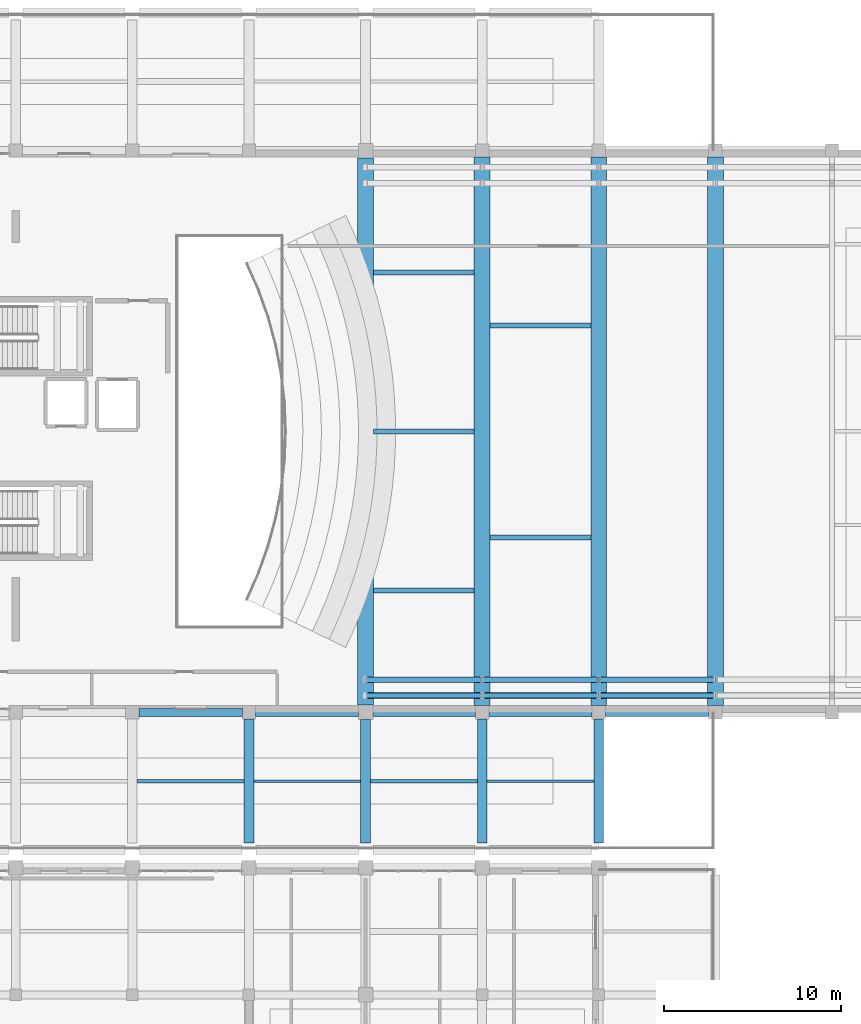
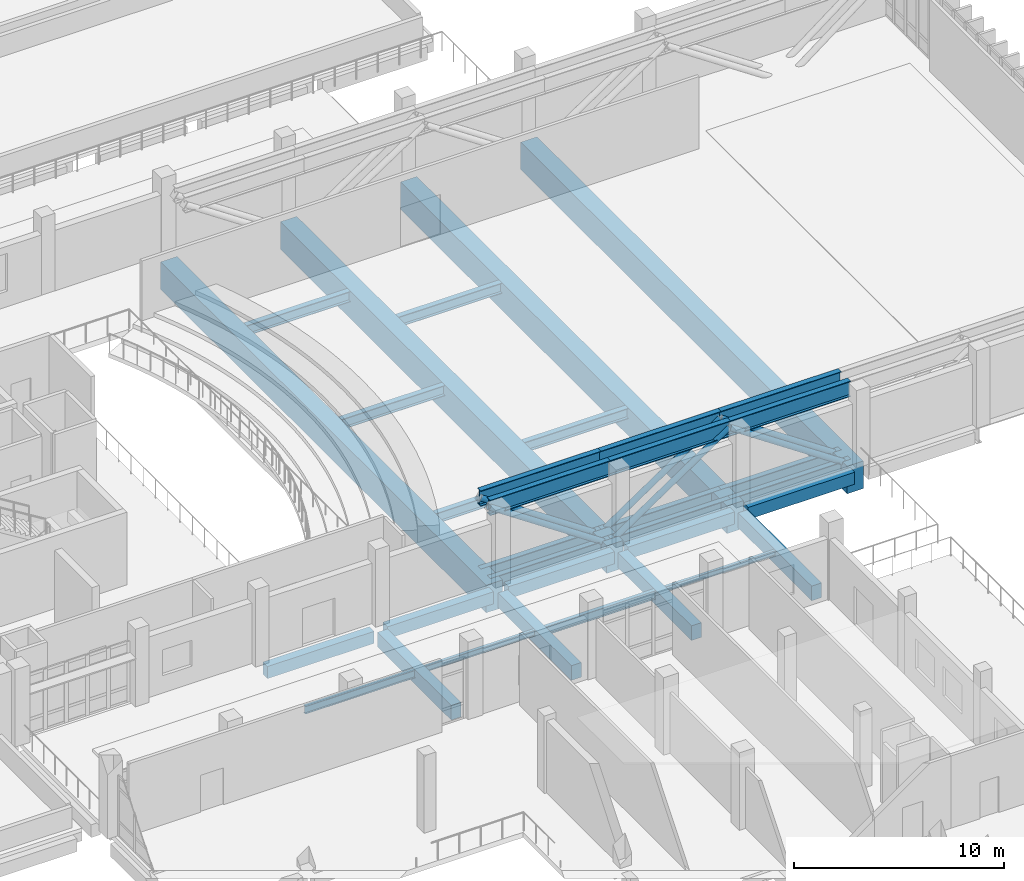
# One storey, part 9 of 54: 22 beams, 18 members.
"""IFC4 building model written with IfcOpenShell, lengths in metres."""

import ifcopenshell
import ifcopenshell.guid

model = None  # the IFC model being written
_history = None  # IfcOwnerHistory: only IFC2X3 demands one
_inside = {}  # id of a spatial element -> (the spatial element, [elements in it])
_under = {}  # id of a project, library or spatial element -> (it, [spatial elements below it])
_declared = {}  # id of a project -> (the project, [libraries it declares])
_typed = {}  # id of a type object -> (the type object, [elements of that type])
_made_of = {}  # id of a material, layer set ... -> (it, [elements and type objects made of it])


def new_model(schema):
    """Start an empty IFC model of exactly this schema.

    Asked for "IFC4X3", IfcOpenShell would pick the latest addendum, in which some entities
    have other attributes; the version numbers below select the first issue.
    IFC2X3 requires an IfcOwnerHistory on every rooted entity: one is made here for all.
    """
    global model, _history
    if schema == "IFC4X3":
        model = ifcopenshell.file(schema_version=(4, 3, 0, 0))
    else:
        model = ifcopenshell.file(schema=schema)
    _inside.clear()
    _under.clear()
    _declared.clear()
    _typed.clear()
    _made_of.clear()
    _history = None
    if model.schema == "IFC2X3":
        org = make("IfcOrganization", Name="unknown")
        user = make(
            "IfcPersonAndOrganization",
            ThePerson=make("IfcPerson", FamilyName="unknown"),
            TheOrganization=org,
        )
        app = make(
            "IfcApplication",
            ApplicationDeveloper=org,
            Version="unknown",
            ApplicationFullName="unknown",
            ApplicationIdentifier="unknown",
        )
        _history = make(
            "IfcOwnerHistory",
            OwningUser=user,
            OwningApplication=app,
            ChangeAction="ADDED",
            CreationDate=0,
        )
    return model


def make(cls, **values):
    """One entity of the class cls with the attributes given. An attribute that is None is left unset."""
    return model.create_entity(
        cls, **{name: value for name, value in values.items() if value is not None}
    )


def rooted(cls, **values):
    """An entity with a GlobalId (a new one), such as an element, a storey or a relation."""
    return make(cls, GlobalId=ifcopenshell.guid.new(), OwnerHistory=_history, **values)


def si_unit(unit_type, name, prefix=None):
    """IfcSIUnit, for example si_unit("LENGTHUNIT", "METRE", prefix="MILLI")."""
    return make("IfcSIUnit", UnitType=unit_type, Prefix=prefix, Name=name)


def assignment(units):
    """IfcUnitAssignment: the units of a project."""
    return None if units is None else make("IfcUnitAssignment", Units=units)


def point(xyz):
    """IfcCartesianPoint."""
    return None if xyz is None else make("IfcCartesianPoint", Coordinates=xyz)


def direction(xyz):
    """IfcDirection."""
    return None if xyz is None else make("IfcDirection", DirectionRatios=xyz)


def frame(location, z_axis=None, x_axis=None):
    """IfcAxis2Placement3D, a coordinate frame: its origin and axes. An axis left out is left unset."""
    return make(
        "IfcAxis2Placement3D",
        Location=point(location),
        Axis=direction(z_axis),
        RefDirection=direction(x_axis),
    )


def frame_2d(location, x_axis=None):
    """IfcAxis2Placement2D, a coordinate frame in the plane: its origin and x axis."""
    return make(
        "IfcAxis2Placement2D", Location=point(location), RefDirection=direction(x_axis)
    )


def origin():
    """The frame at (0, 0, 0) with its axes left unset."""
    return frame((0.0, 0.0, 0.0))


def origin_2d():
    """The frame at (0, 0) in the plane with its x axis left unset."""
    return frame_2d((0.0, 0.0))


def place(relative_to, where):
    """IfcLocalPlacement: puts the frame where relative to a parent placement (None: the world)."""
    return make(
        "IfcLocalPlacement", PlacementRelTo=relative_to, RelativePlacement=where
    )


def context(
    kind, dimensions, precision=None, world=None, true_north=None, identifier=None
):
    """IfcGeometricRepresentationContext, for example the 3D "Model" context."""
    return make(
        "IfcGeometricRepresentationContext",
        ContextIdentifier=identifier,
        ContextType=kind,
        CoordinateSpaceDimension=dimensions,
        Precision=precision,
        WorldCoordinateSystem=world,
        TrueNorth=true_north,
    )


def subcontext(parent, identifier, kind, view, scale=None):
    """IfcGeometricRepresentationSubContext, for example "Body" below "Model"."""
    return make(
        "IfcGeometricRepresentationSubContext",
        ContextIdentifier=identifier,
        ContextType=kind,
        ParentContext=parent,
        TargetScale=scale,
        TargetView=view,
    )


def project(units=None, contexts=None):
    """IfcProject with its units and contexts."""
    return rooted(
        "IfcProject",
        Name="project",
        RepresentationContexts=contexts,
        UnitsInContext=assignment(units),
    )


def spatial(cls, under=None, at=None, **own):
    """A site, building, storey or space (cls), placed at a placement, below another one or the project."""
    s = rooted(cls, ObjectPlacement=at, **own)
    if under is not None:
        _under.setdefault(under.id(), (under, []))[1].append(s)
    return s


def profile(cls, at=None, kind="AREA", **sizes):
    """A parametric profile (cls). Its sizes go by their IFC names, for example OverallWidth=200.0."""
    return make(cls, ProfileType=kind, Position=at, **sizes)


def rectangle(**sizes):
    """IfcRectangleProfileDef."""
    return profile("IfcRectangleProfileDef", **sizes)


def hollow_circle(**sizes):
    """IfcCircleHollowProfileDef."""
    return profile("IfcCircleHollowProfileDef", **sizes)


def i_section(**sizes):
    """IfcIShapeProfileDef."""
    return profile("IfcIShapeProfileDef", **sizes)


def extrude(swept, where, along, depth):
    """IfcExtrudedAreaSolid: the profile swept, set in the frame where, extruded along a direction by depth."""
    return make(
        "IfcExtrudedAreaSolid",
        SweptArea=swept,
        Position=where,
        ExtrudedDirection=direction(along),
        Depth=depth,
    )


def shape(context_of_items, identifier, shape_type, items):
    """IfcShapeRepresentation: the items that make up one representation, for example the "Body"."""
    return make(
        "IfcShapeRepresentation",
        ContextOfItems=context_of_items,
        RepresentationIdentifier=identifier,
        RepresentationType=shape_type,
        Items=items,
    )


def material(Name=None, Category=None):
    """IfcMaterial."""
    return make("IfcMaterial", Name=Name, Category=Category)


def material_profile(
    of_material, cross_section, Name=None, Category=None, Priority=None
):
    """IfcMaterialProfile: a cross section and its material."""
    return make(
        "IfcMaterialProfile",
        Name=Name,
        Material=of_material,
        Profile=cross_section,
        Priority=Priority,
        Category=Category,
    )


def profile_set(profiles, Name=None, composite=None):
    """IfcMaterialProfileSet."""
    return make(
        "IfcMaterialProfileSet",
        Name=Name,
        MaterialProfiles=profiles,
        CompositeProfile=composite,
    )


def made_of(thing, what):
    """Note that an element or type object is made of a material, layer set ...; save() writes the relation."""
    if what is not None:
        _made_of.setdefault(what.id(), (what, []))[1].append(thing)
    return thing


def type_object(cls, material=None, **own):
    """A type object (cls), such as IfcWallType, which elements share."""
    return made_of(rooted(cls, **own), material)


def element(
    cls,
    number,
    at=None,
    inside=None,
    cuts=None,
    type_object=None,
    material=None,
    context=None,
    identifier="Body",
    shape_type=None,
    held_by="IfcProductDefinitionShape",
    body=None,
    shapes=None,
    **own,
):
    """One element of the class cls, such as IfcWall. Its Tag is "e" and its number.

    at: its placement. inside: the storey or other place that contains it. cuts: it is an
    opening in that element (IfcRelVoidsElement). A single representation is given by context,
    identifier, shape_type and body (its items); several are given by shapes. held_by: the class
    of the entity that holds the representations. save() writes the other relations.
    """
    e = rooted(cls, Tag="e%d" % number, ObjectPlacement=at, **own)
    if body is not None:
        shapes = [shape(context, identifier, shape_type, body)]
    if shapes is not None:
        e.Representation = make(held_by, Representations=shapes)
    if inside is not None:
        _inside.setdefault(inside.id(), (inside, []))[1].append(e)
    if cuts is not None:
        rooted(
            "IfcRelVoidsElement", RelatingBuildingElement=cuts, RelatedOpeningElement=e
        )
    if type_object is not None:
        _typed.setdefault(type_object.id(), (type_object, []))[1].append(e)
    return made_of(e, material)


def aggregate(whole, parts):
    """IfcRelAggregates: a whole, such as a stair, and the parts it consists of."""
    return rooted("IfcRelAggregates", RelatingObject=whole, RelatedObjects=parts)


def save(model, path):
    """Write the relations noted so far, then the file.

    IfcRelAggregates (storeys below a building ...), IfcRelContainedInSpatialStructure (elements
    in a storey), IfcRelDefinesByType, IfcRelAssociatesMaterial and IfcRelDeclares: one each for
    every whole, place, type object, material and project.
    """
    for whole, parts in _under.values():
        aggregate(whole, parts)
    for where, things in _inside.values():
        rooted(
            "IfcRelContainedInSpatialStructure",
            RelatedElements=things,
            RelatingStructure=where,
        )
    for kind, things in _typed.values():
        rooted("IfcRelDefinesByType", RelatedObjects=things, RelatingType=kind)
    for what, things in _made_of.values():
        rooted("IfcRelAssociatesMaterial", RelatedObjects=things, RelatingMaterial=what)
    for by, libraries in _declared.values():
        rooted("IfcRelDeclares", RelatingContext=by, RelatedDefinitions=libraries)
    model.write(path)


model = new_model("IFC4")

# Units and contexts
model_context = context("Model", 3, precision=1e-05, world=origin(), true_north=direction((0.0, 1.0)))
body_context = subcontext(model_context, "Body", "Model", "MODEL_VIEW")
ifc_project = project(units=[si_unit("LENGTHUNIT", "METRE"), si_unit("AREAUNIT", "SQUARE_METRE"), si_unit("VOLUMEUNIT", "CUBIC_METRE"), si_unit("PLANEANGLEUNIT", "RADIAN"), si_unit("MASSUNIT", "GRAM", prefix="KILO")], contexts=[model_context])

# Site, building, storey
site_placement = place(None, origin())
site = spatial("IfcSite", under=ifc_project, at=site_placement, CompositionType="ELEMENT")
building_placement = place(site_placement, origin())
building = spatial("IfcBuilding", under=site, at=building_placement, Name="Kelarvand Opera House", CompositionType="ELEMENT")
storey_placement = place(building_placement, frame((0.0, 0.0, 15.0)))
storey = spatial("IfcBuildingStorey", under=building, at=storey_placement, Name="L03", CompositionType="ELEMENT", Elevation=15.0)

# Beams
ifc_material_1 = material(Name="Concrete C40/50", Category="concrete")
ifc_material_profile_1 = material_profile(ifc_material_1, rectangle(XDim=0.449951171875, YDim=0.699951171875, at=origin_2d()), Name="RC 450x700", Category="concrete")
ifc_profile_set_1 = profile_set([ifc_material_profile_1], Name="Concrete C40/50")
beam_type_1 = type_object("IfcBeamType", Name="Structural Beam RC 450x700 BM-RC450x700", PredefinedType="BEAM", material=ifc_profile_set_1)
beam_1_placement = place(storey_placement, frame((102.574951171875, 46.60009765625, -0.669921875), z_axis=(1.0, 0.0, 0.0), x_axis=(0.0, 1.0, 0.0)))
element("IfcBeam", 1, at=beam_1_placement, inside=storey, type_object=beam_type_1, Name="V1 L03 Beam BM-RC450x700", PredefinedType="BEAM", context=body_context, shape_type="SweptSolid", body=[
    extrude(rectangle(XDim=0.449951171875, YDim=0.699951171875, at=origin_2d()), origin(), (0.0, 0.0, 1.0), 5.85009765625),
])
for number, where, z_axis, x_axis, name in (
    (2, (109.175048828125, 46.60009765625, -0.669921875), (1.0, 0.0, 0.0), (0.0, 1.0, 0.0), "V1 L03 Beam BM-RC450x700"),
    (3, (115.81005859375, 46.60009765625, -0.669921875), (1.0, 0.0, 0.0), (0.0, 1.0, 0.0), "V1 L03 Beam BM-RC450x700"),
):
    element("IfcBeam", number, at=place(storey_placement, frame(where, z_axis=z_axis, x_axis=x_axis)), inside=storey, type_object=beam_type_1, Name=name, PredefinedType="BEAM", context=body_context, shape_type="SweptSolid", body=[
        extrude(rectangle(XDim=0.449951171875, YDim=0.699951171875, at=origin_2d()), origin(), (0.0, 0.0, 1.0), 5.81494140625),
    ])
beam_2_placement = place(storey_placement, frame((122.375, 46.60009765625, -0.669921875), z_axis=(1.0, 0.0, 0.0), x_axis=(0.0, 1.0, 0.0)))
element("IfcBeam", 4, at=beam_2_placement, inside=storey, type_object=beam_type_1, Name="V1 L03 Beam BM-RC450x700", PredefinedType="BEAM", context=body_context, shape_type="SweptSolid", body=[
    extrude(rectangle(XDim=0.449951171875, YDim=0.699951171875, at=origin_2d()), origin(), (0.0, 0.0, 1.0), 5.85009765625),
])
beam_3_placement = place(storey_placement, frame((128.97509765625, 46.60009765625, -0.669921875), z_axis=(1.0, 0.0, 0.0), x_axis=(0.0, 1.0, 0.0)))
element("IfcBeam", 5, at=beam_3_placement, inside=storey, type_object=beam_type_1, Name="V1 L03 Beam BM-RC450x700", PredefinedType="BEAM", context=body_context, shape_type="SweptSolid", body=[
    extrude(rectangle(XDim=0.449951171875, YDim=0.699951171875, at=origin_2d()), origin(), (0.0, 0.0, 1.0), 5.849853515625),
])
ifc_material_profile_2 = material_profile(ifc_material_1, rectangle(XDim=0.550048828125, YDim=0.85009765625, at=origin_2d()), Name="RC 550x850", Category="concrete")
ifc_profile_set_2 = profile_set([ifc_material_profile_2], Name="Concrete C40/50")
beam_type_2 = type_object("IfcBeamType", Name="Structural Beam RC 550x850 BM-RC550x850", PredefinedType="BEAM", material=ifc_profile_set_2)
beam_4_placement = place(storey_placement, frame((108.800048828125, 39.2099609375, -0.7451171875), z_axis=(0.0, 1.0, 0.0), x_axis=(-1.0, 0.0, 0.0)))
element("IfcBeam", 6, at=beam_4_placement, inside=storey, type_object=beam_type_2, Name="V1 L03 Beam BM-RC550x850", PredefinedType="BEAM", context=body_context, shape_type="SweptSolid", body=[
    extrude(rectangle(XDim=0.550048828125, YDim=0.85009765625, at=origin_2d()), origin(), (0.0, 0.0, 1.0), 7.01513671875),
])
beam_5_placement = place(storey_placement, frame((115.39990234375, 39.2099609375, -0.7451171875), z_axis=(0.0, 1.0, 0.0), x_axis=(-1.0, 0.0, 0.0)))
element("IfcBeam", 7, at=beam_5_placement, inside=storey, type_object=beam_type_2, Name="V1 L03 Beam BM-RC550x850", PredefinedType="BEAM", context=body_context, shape_type="SweptSolid", body=[
    extrude(rectangle(XDim=0.550048828125, YDim=0.85009765625, at=origin_2d()), origin(), (0.0, 0.0, 1.0), 6.97998046875),
])
for number, where, z_axis, x_axis, name in (
    (8, (122.0, 39.2099609375, -0.7451171875), (0.0, 1.0, 0.0), (-1.0, 0.0, 0.0), "V1 L03 Beam BM-RC550x850"),
    (9, (128.60009765625, 39.2099609375, -0.7451171875), (0.0, 1.0, 0.0), (-1.0, 0.0, 0.0), "V1 L03 Beam BM-RC550x850"),
):
    element("IfcBeam", number, at=place(storey_placement, frame(where, z_axis=z_axis, x_axis=x_axis)), inside=storey, type_object=beam_type_2, Name=name, PredefinedType="BEAM", context=body_context, shape_type="SweptSolid", body=[
        extrude(rectangle(XDim=0.550048828125, YDim=0.85009765625, at=origin_2d()), origin(), (0.0, 0.0, 1.0), 7.01513671875),
    ])
ifc_material_profile_3 = material_profile(ifc_material_1, rectangle(XDim=0.89990234375, YDim=1.60009765625, at=origin_2d()), Name="RC 900x1600", Category="concrete")
ifc_profile_set_3 = profile_set([ifc_material_profile_3], Name="Concrete C40/50")
beam_type_3 = type_object("IfcBeamType", Name="Structural Beam RC 900x1600 BM-RC900x1600", PredefinedType="BEAM", material=ifc_profile_set_3)
beam_6_placement = place(storey_placement, frame((115.39990234375, 47.010009765625, -1.1201171875), z_axis=(0.0, 1.0, 0.0), x_axis=(-1.0, 0.0, 0.0)))
element("IfcBeam", 10, at=beam_6_placement, inside=storey, type_object=beam_type_3, Name="V1 L03 Beam BM-RC900x1600", PredefinedType="BEAM", context=body_context, shape_type="SweptSolid", body=[
    extrude(rectangle(XDim=0.89990234375, YDim=1.60009765625, at=origin_2d()), origin(), (0.0, 0.0, 1.0), 30.97998046875),
])
for number, where, z_axis, x_axis, name in (
    (11, (122.0, 46.97509765625, -1.1201171875), (0.0, 1.0, 0.0), (-1.0, 0.0, 0.0), "V1 L03 Beam BM-RC900x1600"),
    (12, (128.60009765625, 46.97509765625, -1.1201171875), (0.0, 1.0, 0.0), (-1.0, 0.0, 0.0), "V1 L03 Beam BM-RC900x1600"),
    (13, (135.199951171875, 46.97509765625, -1.1201171875), (0.0, 1.0, 0.0), (-1.0, 0.0, 0.0), "V1 L03 Beam BM-RC900x1600"),
):
    element("IfcBeam", number, at=place(storey_placement, frame(where, z_axis=z_axis, x_axis=x_axis)), inside=storey, type_object=beam_type_3, Name=name, PredefinedType="BEAM", context=body_context, shape_type="SweptSolid", body=[
        extrude(rectangle(XDim=0.89990234375, YDim=1.60009765625, at=origin_2d()), origin(), (0.0, 0.0, 1.0), 31.0498046875),
    ])

# Members
ifc_material_2 = material(Name="Steel S355", Category="steel")
ifc_material_profile_4 = material_profile(ifc_material_2, hollow_circle(Radius=0.161865234375, WallThickness=0.01611328125, at=origin_2d()), Name="CHS 323.9x16.0", Category="steel")
ifc_profile_set_4 = profile_set([ifc_material_profile_4], Name="Steel S355")
member_type_1 = type_object("IfcMemberType", Name="Structural Brace CHS 323.9x16.0 BR-CHS324", PredefinedType="BRACE", material=ifc_profile_set_4)
for number, where, z_axis, x_axis, name in (
    (14, (115.39990234375, 47.550048828125, 3.77001953125), (0.829729346585, 0.0, -0.558165935377), (0.0, 1.0, 0.0), "Cantilever Truss CT1 Upper Diagonal 1"),
    (15, (122.0, 47.550048828125, -0.669921875), (0.829729346585, 0.0, 0.558165935377), (0.0, 1.0, 0.0), "Cantilever Truss CT1 Upper Diagonal 2"),
):
    element("IfcMember", number, at=place(storey_placement, frame(where, z_axis=z_axis, x_axis=x_axis)), inside=storey, type_object=member_type_1, Name=name, PredefinedType="BRACE", context=body_context, shape_type="SweptSolid", body=[
        extrude(hollow_circle(Radius=0.161865234375, WallThickness=0.01611328125, at=origin_2d()), origin(), (0.0, 0.0, 1.0), 7.95458984375),
    ])
member_1_placement = place(storey_placement, frame((128.60009765625, 47.550048828125, 3.77001953125), z_axis=(0.82971978413, 0.0, -0.558180149972), x_axis=(0.0, 1.0, 0.0)))
element("IfcMember", 16, at=member_1_placement, inside=storey, type_object=member_type_1, Name="Cantilever Truss CT1 Upper Diagonal 3", PredefinedType="BRACE", context=body_context, shape_type="SweptSolid", body=[
    extrude(hollow_circle(Radius=0.161865234375, WallThickness=0.01611328125, at=origin_2d()), origin(), (0.0, 0.0, 1.0), 7.954345703125),
])
for number, where, z_axis, x_axis, name in (
    (17, (115.39990234375, 48.449951171875, 3.77001953125), (0.829729346585, 0.0, -0.558165935377), (0.0, 1.0, 0.0), "Cantilever Truss CT2 Upper Diagonal 1"),
    (18, (122.0, 48.449951171875, -0.669921875), (0.829729346585, 0.0, 0.558165935377), (0.0, 1.0, 0.0), "Cantilever Truss CT2 Upper Diagonal 2"),
):
    element("IfcMember", number, at=place(storey_placement, frame(where, z_axis=z_axis, x_axis=x_axis)), inside=storey, type_object=member_type_1, Name=name, PredefinedType="BRACE", context=body_context, shape_type="SweptSolid", body=[
        extrude(hollow_circle(Radius=0.161865234375, WallThickness=0.01611328125, at=origin_2d()), origin(), (0.0, 0.0, 1.0), 7.95458984375),
    ])
member_2_placement = place(storey_placement, frame((128.60009765625, 48.449951171875, 3.77001953125), z_axis=(0.82971978413, 0.0, -0.558180149972), x_axis=(0.0, 1.0, 0.0)))
element("IfcMember", 19, at=member_2_placement, inside=storey, type_object=member_type_1, Name="Cantilever Truss CT2 Upper Diagonal 3", PredefinedType="BRACE", context=body_context, shape_type="SweptSolid", body=[
    extrude(hollow_circle(Radius=0.161865234375, WallThickness=0.01611328125, at=origin_2d()), origin(), (0.0, 0.0, 1.0), 7.954345703125),
])
ifc_material_profile_5 = material_profile(ifc_material_2, i_section(OverallWidth=0.300048828125, OverallDepth=0.699951171875, WebThickness=0.01708984375, FlangeThickness=0.031982421875, at=origin_2d()), Name="HEB 700", Category="steel")
ifc_profile_set_5 = profile_set([ifc_material_profile_5], Name="Steel S355")
member_type_2 = type_object("IfcMemberType", Name="Structural Chord HEB 700 CH-HEB700", PredefinedType="CHORD", material=ifc_profile_set_5)
for number, where, z_axis, x_axis, name in (
    (20, (115.39990234375, 47.550048828125, -0.669921875), (1.0, 0.0, 0.0), (0.0, 1.0, 0.0), "Cantilever Truss CT1 Tie Chord 1"),
    (21, (122.0, 47.550048828125, -0.669921875), (1.0, 0.0, 0.0), (0.0, 1.0, 0.0), "Cantilever Truss CT1 Tie Chord 2"),
):
    element("IfcMember", number, at=place(storey_placement, frame(where, z_axis=z_axis, x_axis=x_axis)), inside=storey, type_object=member_type_2, Name=name, PredefinedType="CHORD", context=body_context, shape_type="SweptSolid", body=[
        extrude(i_section(OverallWidth=0.300048828125, OverallDepth=0.699951171875, WebThickness=0.01708984375, FlangeThickness=0.031982421875, at=origin_2d()), origin(), (0.0, 0.0, 1.0), 6.60009765625),
    ])
member_3_placement = place(storey_placement, frame((128.60009765625, 47.550048828125, -0.669921875), z_axis=(1.0, 0.0, 0.0), x_axis=(0.0, 1.0, 0.0)))
element("IfcMember", 22, at=member_3_placement, inside=storey, type_object=member_type_2, Name="Cantilever Truss CT1 Tie Chord 3", PredefinedType="CHORD", context=body_context, shape_type="SweptSolid", body=[
    extrude(i_section(OverallWidth=0.300048828125, OverallDepth=0.699951171875, WebThickness=0.01708984375, FlangeThickness=0.031982421875, at=origin_2d()), origin(), (0.0, 0.0, 1.0), 6.599853515625),
])
for number, where, z_axis, x_axis, name in (
    (23, (115.39990234375, 48.449951171875, -0.669921875), (1.0, 0.0, 0.0), (0.0, 1.0, 0.0), "Cantilever Truss CT2 Tie Chord 1"),
    (24, (122.0, 48.449951171875, -0.669921875), (1.0, 0.0, 0.0), (0.0, 1.0, 0.0), "Cantilever Truss CT2 Tie Chord 2"),
):
    element("IfcMember", number, at=place(storey_placement, frame(where, z_axis=z_axis, x_axis=x_axis)), inside=storey, type_object=member_type_2, Name=name, PredefinedType="CHORD", context=body_context, shape_type="SweptSolid", body=[
        extrude(i_section(OverallWidth=0.300048828125, OverallDepth=0.699951171875, WebThickness=0.01708984375, FlangeThickness=0.031982421875, at=origin_2d()), origin(), (0.0, 0.0, 1.0), 6.60009765625),
    ])
member_4_placement = place(storey_placement, frame((128.60009765625, 48.449951171875, -0.669921875), z_axis=(1.0, 0.0, 0.0), x_axis=(0.0, 1.0, 0.0)))
element("IfcMember", 25, at=member_4_placement, inside=storey, type_object=member_type_2, Name="Cantilever Truss CT2 Tie Chord 3", PredefinedType="CHORD", context=body_context, shape_type="SweptSolid", body=[
    extrude(i_section(OverallWidth=0.300048828125, OverallDepth=0.699951171875, WebThickness=0.01708984375, FlangeThickness=0.031982421875, at=origin_2d()), origin(), (0.0, 0.0, 1.0), 6.599853515625),
])
ifc_material_profile_6 = material_profile(ifc_material_2, i_section(OverallWidth=0.300048828125, OverallDepth=0.89990234375, WebThickness=0.0185546875, FlangeThickness=0.034912109375, at=origin_2d()), Name="HEB 900", Category="steel")
ifc_profile_set_6 = profile_set([ifc_material_profile_6], Name="Steel S355")
member_type_3 = type_object("IfcMemberType", Name="Structural Chord HEB 900 CH-HEB900", PredefinedType="CHORD", material=ifc_profile_set_6)
for number, where, z_axis, x_axis, name in (
    (26, (115.39990234375, 47.550048828125, 3.77001953125), (1.0, 0.0, 0.0), (0.0, 1.0, 0.0), "Cantilever Truss CT1 Top Chord 1"),
    (27, (122.0, 47.550048828125, 3.77001953125), (1.0, 0.0, 0.0), (0.0, 1.0, 0.0), "Cantilever Truss CT1 Top Chord 2"),
):
    element("IfcMember", number, at=place(storey_placement, frame(where, z_axis=z_axis, x_axis=x_axis)), inside=storey, type_object=member_type_3, Name=name, PredefinedType="CHORD", context=body_context, shape_type="SweptSolid", body=[
        extrude(i_section(OverallWidth=0.300048828125, OverallDepth=0.89990234375, WebThickness=0.0185546875, FlangeThickness=0.034912109375, at=origin_2d()), origin(), (0.0, 0.0, 1.0), 6.60009765625),
    ])
member_5_placement = place(storey_placement, frame((128.60009765625, 47.550048828125, 3.77001953125), z_axis=(1.0, 0.0, 0.0), x_axis=(0.0, 1.0, 0.0)))
element("IfcMember", 28, at=member_5_placement, inside=storey, type_object=member_type_3, Name="Cantilever Truss CT1 Top Chord 3", PredefinedType="CHORD", context=body_context, shape_type="SweptSolid", body=[
    extrude(i_section(OverallWidth=0.300048828125, OverallDepth=0.89990234375, WebThickness=0.0185546875, FlangeThickness=0.034912109375, at=origin_2d()), origin(), (0.0, 0.0, 1.0), 6.599853515625),
])
for number, where, z_axis, x_axis, name in (
    (29, (115.39990234375, 48.449951171875, 3.77001953125), (1.0, 0.0, 0.0), (0.0, 1.0, 0.0), "Cantilever Truss CT2 Top Chord 1"),
    (30, (122.0, 48.449951171875, 3.77001953125), (1.0, 0.0, 0.0), (0.0, 1.0, 0.0), "Cantilever Truss CT2 Top Chord 2"),
):
    element("IfcMember", number, at=place(storey_placement, frame(where, z_axis=z_axis, x_axis=x_axis)), inside=storey, type_object=member_type_3, Name=name, PredefinedType="CHORD", context=body_context, shape_type="SweptSolid", body=[
        extrude(i_section(OverallWidth=0.300048828125, OverallDepth=0.89990234375, WebThickness=0.0185546875, FlangeThickness=0.034912109375, at=origin_2d()), origin(), (0.0, 0.0, 1.0), 6.60009765625),
    ])
member_6_placement = place(storey_placement, frame((128.60009765625, 48.449951171875, 3.77001953125), z_axis=(1.0, 0.0, 0.0), x_axis=(0.0, 1.0, 0.0)))
element("IfcMember", 31, at=member_6_placement, inside=storey, type_object=member_type_3, Name="Cantilever Truss CT2 Top Chord 3", PredefinedType="CHORD", context=body_context, shape_type="SweptSolid", body=[
    extrude(i_section(OverallWidth=0.300048828125, OverallDepth=0.89990234375, WebThickness=0.0185546875, FlangeThickness=0.034912109375, at=origin_2d()), origin(), (0.0, 0.0, 1.0), 6.599853515625),
])

# Beams
ifc_material_profile_7 = material_profile(ifc_material_2, i_section(OverallWidth=0.14990234375, OverallDepth=0.300048828125, WebThickness=0.007080078125, FlangeThickness=0.0107421875, at=origin_2d()), Name="IPE 300", Category="steel")
ifc_profile_set_7 = profile_set([ifc_material_profile_7], Name="Steel S355")
beam_type_4 = type_object("IfcBeamType", Name="Structural Joist IPE 300 JS-IPE300", PredefinedType="JOIST", material=ifc_profile_set_7)
beam_7_placement = place(storey_placement, frame((122.27490234375, 42.699951171875, -0.469970703125), z_axis=(1.0, 0.0, 0.0), x_axis=(0.0, 1.0, 0.0)))
element("IfcBeam", 32, at=beam_7_placement, inside=storey, type_object=beam_type_4, Name="V1 L03 Beam JS-IPE300", PredefinedType="JOIST", context=body_context, shape_type="SweptSolid", body=[
    extrude(i_section(OverallWidth=0.14990234375, OverallDepth=0.300048828125, WebThickness=0.007080078125, FlangeThickness=0.0107421875, at=origin_2d()), origin(), (0.0, 0.0, 1.0), 6.050048828125),
])
ifc_material_profile_8 = material_profile(ifc_material_2, i_section(OverallWidth=0.159912109375, OverallDepth=0.330078125, WebThickness=0.007568359375, FlangeThickness=0.011474609375, at=origin_2d()), Name="IPE 330", Category="steel")
ifc_profile_set_8 = profile_set([ifc_material_profile_8], Name="Steel S355")
beam_type_5 = type_object("IfcBeamType", Name="Structural Joist IPE 330 JS-IPE330", PredefinedType="JOIST", material=ifc_profile_set_8)
beam_8_placement = place(storey_placement, frame((109.074951171875, 42.699951171875, -0.485107421875), z_axis=(1.0, 0.0, 0.0), x_axis=(0.0, 1.0, 0.0)))
element("IfcBeam", 33, at=beam_8_placement, inside=storey, type_object=beam_type_5, Name="V1 L03 Beam JS-IPE330", PredefinedType="JOIST", context=body_context, shape_type="SweptSolid", body=[
    extrude(i_section(OverallWidth=0.159912109375, OverallDepth=0.330078125, WebThickness=0.007568359375, FlangeThickness=0.011474609375, at=origin_2d()), origin(), (0.0, 0.0, 1.0), 6.050048828125),
])
ifc_material_profile_9 = material_profile(ifc_material_2, i_section(OverallWidth=0.18994140625, OverallDepth=0.449951171875, WebThickness=0.009521484375, FlangeThickness=0.0146484375, at=origin_2d()), Name="IPE 450", Category="steel")
ifc_profile_set_9 = profile_set([ifc_material_profile_9], Name="Steel S355")
beam_type_6 = type_object("IfcBeamType", Name="Structural Joist IPE 450 JS-IPE450", PredefinedType="JOIST", material=ifc_profile_set_9)
beam_9_placement = place(storey_placement, frame((102.47509765625, 42.699951171875, -0.544921875), z_axis=(1.0, 0.0, 0.0), x_axis=(0.0, 1.0, 0.0)))
element("IfcBeam", 34, at=beam_9_placement, inside=storey, type_object=beam_type_6, Name="V1 L03 Beam JS-IPE450", PredefinedType="JOIST", context=body_context, shape_type="SweptSolid", body=[
    extrude(i_section(OverallWidth=0.18994140625, OverallDepth=0.449951171875, WebThickness=0.009521484375, FlangeThickness=0.0146484375, at=origin_2d()), origin(), (0.0, 0.0, 1.0), 6.0498046875),
])
ifc_material_profile_10 = material_profile(ifc_material_2, i_section(OverallWidth=0.199951171875, OverallDepth=0.5, WebThickness=0.01025390625, FlangeThickness=0.01611328125, at=origin_2d()), Name="IPE 500", Category="steel")
ifc_profile_set_10 = profile_set([ifc_material_profile_10], Name="Steel S355")
beam_type_7 = type_object("IfcBeamType", Name="Structural Joist IPE 500 JS-IPE500", PredefinedType="JOIST", material=ifc_profile_set_10)
beam_10_placement = place(storey_placement, frame((115.675048828125, 42.699951171875, -0.570068359375), z_axis=(1.0, 0.0, 0.0), x_axis=(0.0, 1.0, 0.0)))
element("IfcBeam", 35, at=beam_10_placement, inside=storey, type_object=beam_type_7, Name="V1 L03 Beam JS-IPE500", PredefinedType="JOIST", context=body_context, shape_type="SweptSolid", body=[
    extrude(i_section(OverallWidth=0.199951171875, OverallDepth=0.5, WebThickness=0.01025390625, FlangeThickness=0.01611328125, at=origin_2d()), origin(), (0.0, 0.0, 1.0), 6.050048828125),
])
ifc_material_profile_11 = material_profile(ifc_material_2, i_section(OverallWidth=0.300048828125, OverallDepth=0.60009765625, WebThickness=0.015380859375, FlangeThickness=0.030029296875, at=origin_2d()), Name="HEB 600", Category="steel")
ifc_profile_set_11 = profile_set([ifc_material_profile_11], Name="Steel S355")
beam_type_8 = type_object("IfcBeamType", Name="Structural Raker HEB 600 RK-HEB600", PredefinedType="USERDEFINED", material=ifc_profile_set_11)
for number, where, z_axis, x_axis, name in (
    (36, (115.85009765625, 53.5, -0.6201171875), (1.0, 0.0, 0.0), (0.0, 1.0, 0.0), "Tier 2 Raker Beam 1"),
    (37, (115.85009765625, 62.5, -0.6201171875), (1.0, 0.0, 0.0), (0.0, 1.0, 0.0), "Tier 2 Raker Beam 2"),
    (38, (115.85009765625, 71.5, -0.6201171875), (1.0, 0.0, 0.0), (0.0, 1.0, 0.0), "Tier 2 Raker Beam 3"),
    (39, (122.449951171875, 56.5, -0.6201171875), (1.0, 0.0, 0.0), (0.0, 1.0, 0.0), "Tier 2 Raker Beam 4"),
    (40, (122.449951171875, 68.5, -0.6201171875), (1.0, 0.0, 0.0), (0.0, 1.0, 0.0), "Tier 2 Raker Beam 5"),
):
    element("IfcBeam", number, at=place(storey_placement, frame(where, z_axis=z_axis, x_axis=x_axis)), inside=storey, type_object=beam_type_8, Name=name, ObjectType="RAKER", PredefinedType="USERDEFINED", context=body_context, shape_type="SweptSolid", body=[
        extrude(i_section(OverallWidth=0.300048828125, OverallDepth=0.60009765625, WebThickness=0.015380859375, FlangeThickness=0.030029296875, at=origin_2d()), origin(), (0.0, 0.0, 1.0), 5.699951171875),
    ])

save(model, "model.ifc")
